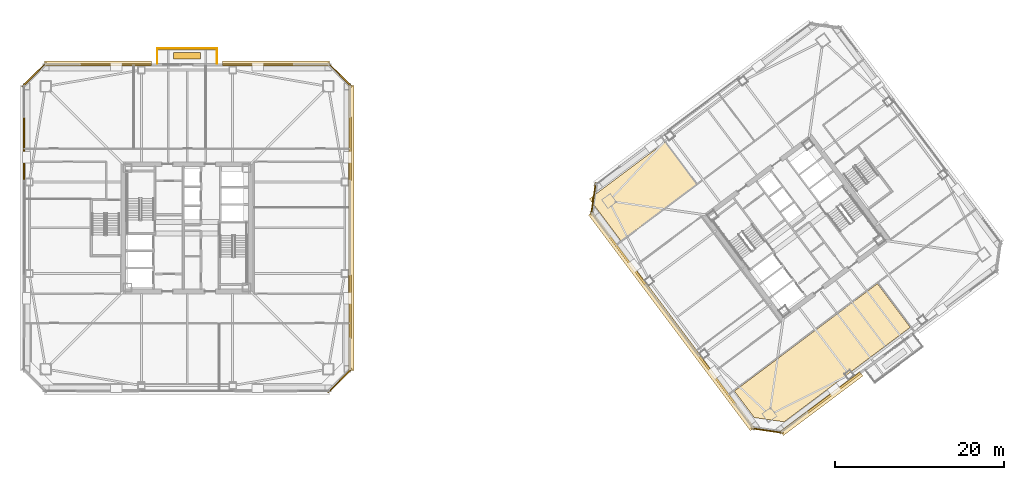
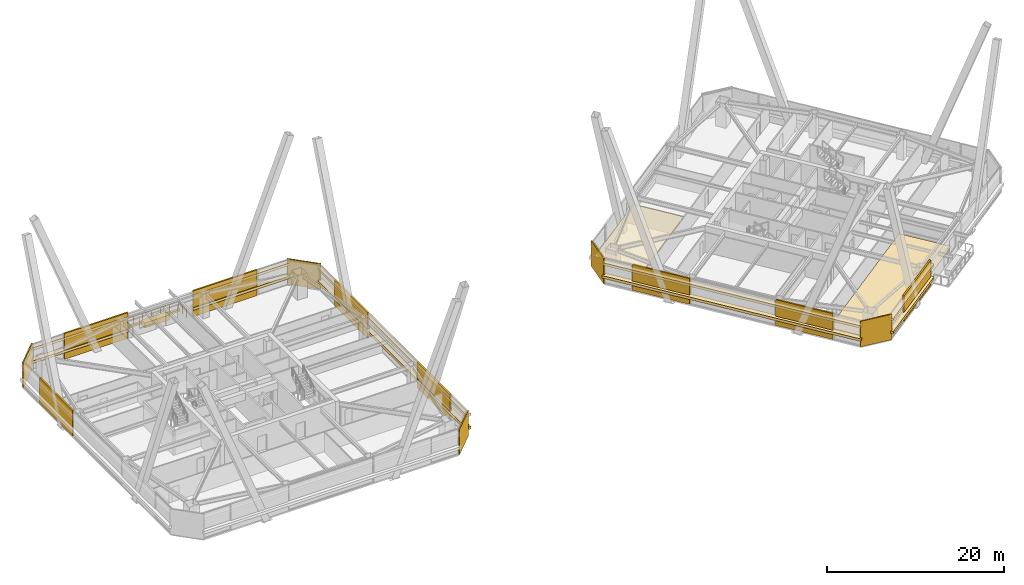
# One storey, part 51 of 54: 27 coverings, 3 railings.
"""IFC4 building model written with IfcOpenShell, lengths in metres."""

import ifcopenshell
import ifcopenshell.guid

model = None  # the IFC model being written
_history = None  # IfcOwnerHistory: only IFC2X3 demands one
_inside = {}  # id of a spatial element -> (the spatial element, [elements in it])
_under = {}  # id of a project, library or spatial element -> (it, [spatial elements below it])
_declared = {}  # id of a project -> (the project, [libraries it declares])
_typed = {}  # id of a type object -> (the type object, [elements of that type])
_made_of = {}  # id of a material, layer set ... -> (it, [elements and type objects made of it])


def new_model(schema):
    """Start an empty IFC model of exactly this schema.

    Asked for "IFC4X3", IfcOpenShell would pick the latest addendum, in which some entities
    have other attributes; the version numbers below select the first issue.
    IFC2X3 requires an IfcOwnerHistory on every rooted entity: one is made here for all.
    """
    global model, _history
    if schema == "IFC4X3":
        model = ifcopenshell.file(schema_version=(4, 3, 0, 0))
    else:
        model = ifcopenshell.file(schema=schema)
    _inside.clear()
    _under.clear()
    _declared.clear()
    _typed.clear()
    _made_of.clear()
    _history = None
    if model.schema == "IFC2X3":
        org = make("IfcOrganization", Name="unknown")
        user = make(
            "IfcPersonAndOrganization",
            ThePerson=make("IfcPerson", FamilyName="unknown"),
            TheOrganization=org,
        )
        app = make(
            "IfcApplication",
            ApplicationDeveloper=org,
            Version="unknown",
            ApplicationFullName="unknown",
            ApplicationIdentifier="unknown",
        )
        _history = make(
            "IfcOwnerHistory",
            OwningUser=user,
            OwningApplication=app,
            ChangeAction="ADDED",
            CreationDate=0,
        )
    return model


def make(cls, **values):
    """One entity of the class cls with the attributes given. An attribute that is None is left unset."""
    return model.create_entity(
        cls, **{name: value for name, value in values.items() if value is not None}
    )


def rooted(cls, **values):
    """An entity with a GlobalId (a new one), such as an element, a storey or a relation."""
    return make(cls, GlobalId=ifcopenshell.guid.new(), OwnerHistory=_history, **values)


def si_unit(unit_type, name, prefix=None):
    """IfcSIUnit, for example si_unit("LENGTHUNIT", "METRE", prefix="MILLI")."""
    return make("IfcSIUnit", UnitType=unit_type, Prefix=prefix, Name=name)


def assignment(units):
    """IfcUnitAssignment: the units of a project."""
    return None if units is None else make("IfcUnitAssignment", Units=units)


def point(xyz):
    """IfcCartesianPoint."""
    return None if xyz is None else make("IfcCartesianPoint", Coordinates=xyz)


def direction(xyz):
    """IfcDirection."""
    return None if xyz is None else make("IfcDirection", DirectionRatios=xyz)


def frame(location, z_axis=None, x_axis=None):
    """IfcAxis2Placement3D, a coordinate frame: its origin and axes. An axis left out is left unset."""
    return make(
        "IfcAxis2Placement3D",
        Location=point(location),
        Axis=direction(z_axis),
        RefDirection=direction(x_axis),
    )


def frame_2d(location, x_axis=None):
    """IfcAxis2Placement2D, a coordinate frame in the plane: its origin and x axis."""
    return make(
        "IfcAxis2Placement2D", Location=point(location), RefDirection=direction(x_axis)
    )


def origin():
    """The frame at (0, 0, 0) with its axes left unset."""
    return frame((0.0, 0.0, 0.0))


def origin_2d():
    """The frame at (0, 0) in the plane with its x axis left unset."""
    return frame_2d((0.0, 0.0))


def place(relative_to, where):
    """IfcLocalPlacement: puts the frame where relative to a parent placement (None: the world)."""
    return make(
        "IfcLocalPlacement", PlacementRelTo=relative_to, RelativePlacement=where
    )


def context(
    kind, dimensions, precision=None, world=None, true_north=None, identifier=None
):
    """IfcGeometricRepresentationContext, for example the 3D "Model" context."""
    return make(
        "IfcGeometricRepresentationContext",
        ContextIdentifier=identifier,
        ContextType=kind,
        CoordinateSpaceDimension=dimensions,
        Precision=precision,
        WorldCoordinateSystem=world,
        TrueNorth=true_north,
    )


def subcontext(parent, identifier, kind, view, scale=None):
    """IfcGeometricRepresentationSubContext, for example "Body" below "Model"."""
    return make(
        "IfcGeometricRepresentationSubContext",
        ContextIdentifier=identifier,
        ContextType=kind,
        ParentContext=parent,
        TargetScale=scale,
        TargetView=view,
    )


def project(units=None, contexts=None):
    """IfcProject with its units and contexts."""
    return rooted(
        "IfcProject",
        Name="project",
        RepresentationContexts=contexts,
        UnitsInContext=assignment(units),
    )


def spatial(cls, under=None, at=None, **own):
    """A site, building, storey or space (cls), placed at a placement, below another one or the project."""
    s = rooted(cls, ObjectPlacement=at, **own)
    if under is not None:
        _under.setdefault(under.id(), (under, []))[1].append(s)
    return s


def polyline(points):
    """IfcPolyline through the points."""
    return make("IfcPolyline", Points=[point(p) for p in points])


def profile(cls, at=None, kind="AREA", **sizes):
    """A parametric profile (cls). Its sizes go by their IFC names, for example OverallWidth=200.0."""
    return make(cls, ProfileType=kind, Position=at, **sizes)


def rectangle(**sizes):
    """IfcRectangleProfileDef."""
    return profile("IfcRectangleProfileDef", **sizes)


def outline(outer, holes=None, kind="AREA"):
    """IfcArbitraryClosedProfileDef: a profile drawn as a closed curve; with holes, ...WithVoids."""
    if holes is None:
        return make("IfcArbitraryClosedProfileDef", ProfileType=kind, OuterCurve=outer)
    return make(
        "IfcArbitraryProfileDefWithVoids",
        ProfileType=kind,
        OuterCurve=outer,
        InnerCurves=holes,
    )


def extrude(swept, where, along, depth):
    """IfcExtrudedAreaSolid: the profile swept, set in the frame where, extruded along a direction by depth."""
    return make(
        "IfcExtrudedAreaSolid",
        SweptArea=swept,
        Position=where,
        ExtrudedDirection=direction(along),
        Depth=depth,
    )


def shape(context_of_items, identifier, shape_type, items):
    """IfcShapeRepresentation: the items that make up one representation, for example the "Body"."""
    return make(
        "IfcShapeRepresentation",
        ContextOfItems=context_of_items,
        RepresentationIdentifier=identifier,
        RepresentationType=shape_type,
        Items=items,
    )


def material(Name=None, Category=None):
    """IfcMaterial."""
    return make("IfcMaterial", Name=Name, Category=Category)


def layer(
    of_material, thickness, ventilated=None, Name=None, Category=None, Priority=None
):
    """IfcMaterialLayer: one layer of a wall or slab, of a material (None: an air gap)."""
    return make(
        "IfcMaterialLayer",
        Material=of_material,
        LayerThickness=thickness,
        IsVentilated=ventilated,
        Name=Name,
        Category=Category,
        Priority=Priority,
    )


def layer_set(layers, Name=None):
    """IfcMaterialLayerSet."""
    return make("IfcMaterialLayerSet", MaterialLayers=layers, LayerSetName=Name)


def made_of(thing, what):
    """Note that an element or type object is made of a material, layer set ...; save() writes the relation."""
    if what is not None:
        _made_of.setdefault(what.id(), (what, []))[1].append(thing)
    return thing


def type_object(cls, material=None, **own):
    """A type object (cls), such as IfcWallType, which elements share."""
    return made_of(rooted(cls, **own), material)


def element(
    cls,
    number,
    at=None,
    inside=None,
    cuts=None,
    type_object=None,
    material=None,
    context=None,
    identifier="Body",
    shape_type=None,
    held_by="IfcProductDefinitionShape",
    body=None,
    shapes=None,
    **own,
):
    """One element of the class cls, such as IfcWall. Its Tag is "e" and its number.

    at: its placement. inside: the storey or other place that contains it. cuts: it is an
    opening in that element (IfcRelVoidsElement). A single representation is given by context,
    identifier, shape_type and body (its items); several are given by shapes. held_by: the class
    of the entity that holds the representations. save() writes the other relations.
    """
    e = rooted(cls, Tag="e%d" % number, ObjectPlacement=at, **own)
    if body is not None:
        shapes = [shape(context, identifier, shape_type, body)]
    if shapes is not None:
        e.Representation = make(held_by, Representations=shapes)
    if inside is not None:
        _inside.setdefault(inside.id(), (inside, []))[1].append(e)
    if cuts is not None:
        rooted(
            "IfcRelVoidsElement", RelatingBuildingElement=cuts, RelatedOpeningElement=e
        )
    if type_object is not None:
        _typed.setdefault(type_object.id(), (type_object, []))[1].append(e)
    return made_of(e, material)


def aggregate(whole, parts):
    """IfcRelAggregates: a whole, such as a stair, and the parts it consists of."""
    return rooted("IfcRelAggregates", RelatingObject=whole, RelatedObjects=parts)


def save(model, path):
    """Write the relations noted so far, then the file.

    IfcRelAggregates (storeys below a building ...), IfcRelContainedInSpatialStructure (elements
    in a storey), IfcRelDefinesByType, IfcRelAssociatesMaterial and IfcRelDeclares: one each for
    every whole, place, type object, material and project.
    """
    for whole, parts in _under.values():
        aggregate(whole, parts)
    for where, things in _inside.values():
        rooted(
            "IfcRelContainedInSpatialStructure",
            RelatedElements=things,
            RelatingStructure=where,
        )
    for kind, things in _typed.values():
        rooted("IfcRelDefinesByType", RelatedObjects=things, RelatingType=kind)
    for what, things in _made_of.values():
        rooted("IfcRelAssociatesMaterial", RelatedObjects=things, RelatingMaterial=what)
    for by, libraries in _declared.values():
        rooted("IfcRelDeclares", RelatingContext=by, RelatedDefinitions=libraries)
    model.write(path)


model = new_model("IFC4")

# Units and contexts
model_context = context("Model", 3, precision=1e-05, world=origin(), true_north=direction((0.0, 1.0)))
body_context = subcontext(model_context, "Body", "Model", "MODEL_VIEW")
ifc_project = project(units=[si_unit("LENGTHUNIT", "METRE"), si_unit("AREAUNIT", "SQUARE_METRE"), si_unit("VOLUMEUNIT", "CUBIC_METRE"), si_unit("PLANEANGLEUNIT", "RADIAN"), si_unit("MASSUNIT", "GRAM", prefix="KILO")], contexts=[model_context])

# Site, building, storey
site_placement = place(None, origin())
site = spatial("IfcSite", under=ifc_project, at=site_placement, CompositionType="ELEMENT")
building_placement = place(site_placement, origin())
building = spatial("IfcBuilding", under=site, at=building_placement, Name="Tashvorn Skyway Center", CompositionType="ELEMENT")
storey_placement = place(building_placement, frame((0.0, 0.0, 135.699951171875)))
storey = spatial("IfcBuildingStorey", under=building, at=storey_placement, Name="L36", CompositionType="ELEMENT", Elevation=135.699951171875)

# Coverings
ifc_material_1 = material(Name="Precast concrete C40/50", Category="concrete")
ifc_layer_1 = layer(ifc_material_1, 0.199951171875)
ifc_layer_set_1 = layer_set([ifc_layer_1], Name="Precast concrete C40/50")
covering_type_1 = type_object("IfcCoveringType", Name="COV-BRACE-CLAD", PredefinedType="CLADDING", material=ifc_layer_set_1)
covering_1_placement = place(storey_placement, frame((22.719970703125, 41.322265625, 0.0), z_axis=(0.0, 0.0, 1.0), x_axis=(0.0, 1.0, 0.0)))
element("IfcCovering", 1, at=covering_1_placement, inside=storey, type_object=covering_type_1, Name="Tower 1 L36 West Unitised Curtain Wall Mega-Brace Cladding Band 2", PredefinedType="CLADDING", context=body_context, shape_type="SweptSolid", body=[
    extrude(rectangle(XDim=7.457763671875, YDim=0.199951171875, at=origin_2d()), origin(), (0.0, 0.0, 1.0), 3.550048828125),
])
for number, where, z_axis, x_axis, name in (
    (2, (33.5732421875, 51.280029296875, 0.0), (0.0, 0.0, 1.0), (1.0, 0.0, 0.0), "Tower 1 L36 North Curtain Wall L Mega-Brace Cladding Band 1"),
    (3, (50.4267578125, 51.280029296875, 0.0), (0.0, 0.0, 1.0), (1.0, 0.0, 0.0), "Tower 1 L36 North Curtain Wall R Mega-Brace Cladding Band 1"),
):
    element("IfcCovering", number, at=place(storey_placement, frame(where, z_axis=z_axis, x_axis=x_axis)), inside=storey, type_object=covering_type_1, Name=name, PredefinedType="CLADDING", context=body_context, shape_type="SweptSolid", body=[
        extrude(rectangle(XDim=8.353271484375, YDim=0.199951171875, at=origin_2d()), origin(), (0.0, 0.0, 1.0), 3.550048828125),
    ])
for number, where, z_axis, x_axis, name in (
    (4, (61.280029296875, 41.322265625, 0.0), (0.0, 0.0, 1.0), (0.0, -1.0, 0.0), "Tower 1 L36 East Unitised Curtain Wall Mega-Brace Cladding Band 1"),
    (5, (61.280029296875, 22.677734375, 0.0), (0.0, 0.0, 1.0), (0.0, -1.0, 0.0), "Tower 1 L36 East Unitised Curtain Wall Mega-Brace Cladding Band 2"),
):
    element("IfcCovering", number, at=place(storey_placement, frame(where, z_axis=z_axis, x_axis=x_axis)), inside=storey, type_object=covering_type_1, Name=name, PredefinedType="CLADDING", context=body_context, shape_type="SweptSolid", body=[
        extrude(rectangle(XDim=7.457763671875, YDim=0.199951171875, at=origin_2d()), origin(), (0.0, 0.0, 1.0), 3.550048828125),
    ])
covering_2_placement = place(storey_placement, frame((118.466552734375, 12.5, 0.0), z_axis=(0.0, 0.0, 1.0), x_axis=(-0.799999996291, -0.600000004945, 0.0)))
element("IfcCovering", 6, at=covering_2_placement, inside=storey, type_object=covering_type_1, Name="Tower 2 L36 South Curtain Wall R Mega-Brace Cladding Band 1", PredefinedType="CLADDING", context=body_context, shape_type="SweptSolid", body=[
    extrude(rectangle(XDim=7.75341796875, YDim=0.199951171875, at=origin_2d()), origin(), (0.0, 0.0, 1.0), 3.550048828125),
])
for number, where, z_axis, x_axis, name in (
    (7, (104.66943359375, 13.97412109375, 0.0), (0.0, 0.0, 1.0), (-0.600000004945, 0.799999996291, 0.0), "Tower 2 L36 West Unitised Curtain Wall Mega-Brace Cladding Band 1"),
    (8, (94.082763671875, 28.08984375, 0.0), (0.0, 0.0, 1.0), (-0.600000004945, 0.799999996291, 0.0), "Tower 2 L36 West Unitised Curtain Wall Mega-Brace Cladding Band 2"),
):
    element("IfcCovering", number, at=place(storey_placement, frame(where, z_axis=z_axis, x_axis=x_axis)), inside=storey, type_object=covering_type_1, Name=name, PredefinedType="CLADDING", context=body_context, shape_type="SweptSolid", body=[
        extrude(rectangle(XDim=7.057861328125, YDim=0.199951171875, at=origin_2d()), origin(), (0.0, 0.0, 1.0), 3.550048828125),
    ])
ifc_material_2 = material(Name="Mineral-fibre acoustic ceiling tile on suspended grid")
ifc_layer_2 = layer(ifc_material_2, 0.02001953125)
ifc_layer_set_2 = layer_set([ifc_layer_2], Name="Mineral-fibre acoustic ceiling tile on suspended grid")
covering_type_2 = type_object("IfcCoveringType", Name="COV-CEIL-20", PredefinedType="CEILING", material=ifc_layer_set_2)
covering_3_placement = place(storey_placement, frame((0.0, 0.0, 2.703125)))
element("IfcCovering", 9, at=covering_3_placement, inside=storey, type_object=covering_type_2, Name="Tower 2 L36 Executive Study Lounge Acoustic Ceiling", PredefinedType="CEILING", context=body_context, shape_type="SweptSolid", body=[
    extrude(outline(polyline([(93.31005859375, 30.419921875), (102.27001953125, 37.139892578125), (98.52001953125, 42.139892578125), (89.56005859375, 35.419921875), (93.31005859375, 30.419921875)])), origin(), (0.0, 0.0, 1.0), 0.02001953125),
])
ifc_material_3 = material(Name="Polished Mojave desert-aggregate terrazzo and cover plate")
ifc_layer_3 = layer(ifc_material_3, 0.0400390625)
ifc_layer_set_3 = layer_set([ifc_layer_3], Name="Polished Mojave desert-aggregate terrazzo and cover plate")
covering_type_3 = type_object("IfcCoveringType", Name="COV-FLR-40", PredefinedType="FLOORING", material=ifc_layer_set_3)
covering_4_placement = place(storey_placement, origin())
element("IfcCovering", 10, at=covering_4_placement, inside=storey, type_object=covering_type_3, Name="Tower 2 L36 Executive Study Lounge Finish Flooring", PredefinedType="FLOORING", context=body_context, shape_type="SweptSolid", body=[
    extrude(outline(polyline([(112.580078125, 9.06005859375), (109.052001953125, 9.56396484375), (106.694091796875, 12.7080078125), (123.60595703125, 25.39208984375), (127.47607421875, 20.23193359375), (112.580078125, 9.06005859375)])), origin(), (0.0, 0.0, 1.0), 0.0400390625),
])
ifc_material_4 = material(Name="Perforated ceramic-coated bronze aluminium solar screen", Category="aluminium")
ifc_layer_4 = layer(ifc_material_4, 0.85009765625)
ifc_layer_set_4 = layer_set([ifc_layer_4], Name="Perforated ceramic-coated bronze aluminium solar screen")
covering_type_4 = type_object("IfcCoveringType", Name="COV-SOLAR-BAND", PredefinedType="CLADDING", material=ifc_layer_set_4)
for number, where, z_axis, x_axis, name in (
    (11, (31.485107421875, 51.419921875, 0.919921875), (0.0, 0.0, 1.0), (1.0, 0.0, 0.0), "L36 Perforated Ceramic-Metal Solar Screen Louvre Band North 1"),
    (12, (31.485107421875, 51.419921875, 2.72021484375), (0.0, 0.0, 1.0), (1.0, 0.0, 0.0), "L36 Perforated Ceramic-Metal Solar Screen Louvre Band North 2"),
    (13, (52.514892578125, 51.419921875, 0.919921875), (0.0, 0.0, 1.0), (1.0, 0.0, 0.0), "L36 Perforated Ceramic-Metal Solar Screen Louvre Band North 1"),
    (14, (52.514892578125, 51.419921875, 2.72021484375), (0.0, 0.0, 1.0), (1.0, 0.0, 0.0), "L36 Perforated Ceramic-Metal Solar Screen Louvre Band North 2"),
):
    element("IfcCovering", number, at=place(storey_placement, frame(where, z_axis=z_axis, x_axis=x_axis)), inside=storey, type_object=covering_type_4, Name=name, PredefinedType="CLADDING", context=body_context, shape_type="SweptSolid", body=[
        extrude(rectangle(XDim=12.64990234375, YDim=0.639892578125, at=origin_2d()), origin(), (0.0, 0.0, 1.0), 0.360107421875),
    ])
for number, where, z_axis, x_axis, name in (
    (15, (61.419921875, 32.0, 0.919921875), (0.0, 0.0, 1.0), (0.0, -1.0, 0.0), "L36 Perforated Ceramic-Metal Solar Screen Louvre Band East 1"),
    (16, (61.419921875, 32.0, 2.72021484375), (0.0, 0.0, 1.0), (0.0, -1.0, 0.0), "L36 Perforated Ceramic-Metal Solar Screen Louvre Band East 2"),
):
    element("IfcCovering", number, at=place(storey_placement, frame(where, z_axis=z_axis, x_axis=x_axis)), inside=storey, type_object=covering_type_4, Name=name, PredefinedType="CLADDING", context=body_context, shape_type="SweptSolid", body=[
        extrude(rectangle(XDim=33.679931640625, YDim=0.639892578125, at=origin_2d()), origin(), (0.0, 0.0, 1.0), 0.360107421875),
    ])
for number, where, z_axis, x_axis, name in (
    (17, (117.0, 11.22509765625, 0.919921875), (0.0, 0.0, 1.0), (-0.799999996291, -0.600000004945, 0.0), "L36 Perforated Ceramic-Metal Solar Screen Louvre Band South 1"),
    (18, (117.0, 11.22509765625, 2.72021484375), (0.0, 0.0, 1.0), (-0.799999996291, -0.600000004945, 0.0), "L36 Perforated Ceramic-Metal Solar Screen Louvre Band South 2"),
):
    element("IfcCovering", number, at=place(storey_placement, frame(where, z_axis=z_axis, x_axis=x_axis)), inside=storey, type_object=covering_type_4, Name=name, PredefinedType="CLADDING", context=body_context, shape_type="SweptSolid", body=[
        extrude(rectangle(XDim=11.75, YDim=0.639892578125, at=origin_2d()), origin(), (0.0, 0.0, 1.0), 0.360107421875),
    ])
for number, where, z_axis, x_axis, name in (
    (19, (99.263916015625, 20.947998046875, 0.919921875), (0.0, 0.0, 1.0), (-0.600000004945, 0.799999996291, 0.0), "L36 Perforated Ceramic-Metal Solar Screen Louvre Band West 1"),
    (20, (99.263916015625, 20.947998046875, 2.72021484375), (0.0, 0.0, 1.0), (-0.600000004945, 0.799999996291, 0.0), "L36 Perforated Ceramic-Metal Solar Screen Louvre Band West 2"),
):
    element("IfcCovering", number, at=place(storey_placement, frame(where, z_axis=z_axis, x_axis=x_axis)), inside=storey, type_object=covering_type_4, Name=name, PredefinedType="CLADDING", context=body_context, shape_type="SweptSolid", body=[
        extrude(rectangle(XDim=31.8798828125, YDim=0.639892578125, at=origin_2d()), origin(), (0.0, 0.0, 1.0), 0.360107421875),
    ])
ifc_layer_5 = layer(ifc_material_1, 0.35009765625)
ifc_layer_set_5 = layer_set([ifc_layer_5], Name="Precast concrete C40/50")
covering_type_5 = type_object("IfcCoveringType", Name="COV-STONE-TRIM", PredefinedType="CLADDING", material=ifc_layer_set_5)
covering_5_placement = place(storey_placement, frame((42.0, 53.159912109375, -0.16015625), z_axis=(0.0, 0.0, 1.0), x_axis=(1.0, 0.0, 0.0)))
element("IfcCovering", 21, at=covering_5_placement, inside=storey, type_object=covering_type_5, Name="Tower 1 L36 Spiral Terrace Terracotta Fascia", PredefinedType="CLADDING", context=body_context, shape_type="SweptSolid", body=[
    extrude(rectangle(XDim=7.199951171875, YDim=0.280029296875, at=origin_2d()), origin(), (0.0, 0.0, 1.0), 0.280029296875),
])
covering_6_placement = place(storey_placement, frame((42.0, 52.35009765625, 0.0), z_axis=(0.0, 0.0, 1.0), x_axis=(1.0, 0.0, 0.0)))
element("IfcCovering", 22, at=covering_6_placement, inside=storey, type_object=covering_type_5, Name="Tower 1 L36 Spiral Terrace Planter", PredefinedType="CLADDING", context=body_context, shape_type="SweptSolid", body=[
    extrude(rectangle(XDim=3.199951171875, YDim=0.75, at=origin_2d()), origin(), (0.0, 0.0, 1.0), 0.679931640625),
])
for number, where, z_axis, x_axis, name in (
    (23, (23.929931640625, 50.070068359375, 0.02001953125), (0.0, 0.0, 1.0), (-0.707106781187, -0.707106781187, 0.0), "Tower 1 L36 NW Mojave Limestone Corner Quoin"),
    (24, (60.070068359375, 50.070068359375, 0.02001953125), (0.0, 0.0, 1.0), (0.707106781187, -0.707106781187, 0.0), "Tower 1 L36 NE Mojave Limestone Corner Quoin"),
    (25, (60.070068359375, 13.929931640625, 0.02001953125), (0.0, 0.0, 1.0), (0.707106781187, 0.707106781187, 0.0), "Tower 1 L36 SE Mojave Limestone Corner Quoin"),
):
    element("IfcCovering", number, at=place(storey_placement, frame(where, z_axis=z_axis, x_axis=x_axis)), inside=storey, type_object=covering_type_5, Name=name, PredefinedType="CLADDING", context=body_context, shape_type="SweptSolid", body=[
        extrude(rectangle(XDim=3.978515625, YDim=0.139892578125, at=origin_2d()), origin(), (0.0, 0.0, 1.0), 3.510009765625),
    ])
for number, where, z_axis, x_axis, name in (
    (26, (110.575927734375, 8.031982421875, 0.02001953125), (0.0, 0.0, 1.0), (-0.989949494535, 0.141421350118, 0.0), "Tower 2 L36 SW Mojave Limestone Corner Quoin"),
    (27, (90.031982421875, 35.424072265625, 0.02001953125), (0.0, 0.0, 1.0), (-0.141421350118, -0.989949494535, 0.0), "Tower 2 L36 NW Mojave Limestone Corner Quoin"),
):
    element("IfcCovering", number, at=place(storey_placement, frame(where, z_axis=z_axis, x_axis=x_axis)), inside=storey, type_object=covering_type_5, Name=name, PredefinedType="CLADDING", context=body_context, shape_type="SweptSolid", body=[
        extrude(rectangle(XDim=3.8369140625, YDim=0.139892578125, at=origin_2d()), origin(), (0.0, 0.0, 1.0), 3.510009765625),
    ])

# Railings
ifc_material_5 = material(Name="Galvanized steel S355", Category="steel")
railing_type = type_object("IfcRailingType", Name="RAIL-GUARD-1120", PredefinedType="GUARDRAIL", material=ifc_material_5)
railing_1_placement = place(storey_placement, frame((38.47998046875, 51.39990234375, 0.0)))
element("IfcRailing", 28, at=railing_1_placement, inside=storey, type_object=railing_type, Name="L36 Tower 1 Terrace Guardrail 01", PredefinedType="GUARDRAIL", context=body_context, shape_type="SweptSolid", body=[
    extrude(rectangle(XDim=0.048095703125, YDim=0.048095703125, at=origin_2d()), frame((0.0, 0.0, 1.09619140625), z_axis=(0.0, 1.0, 0.0), x_axis=(-1.0, 0.0, 0.0)), (0.0, 0.0, 1.0), 1.820068359375),
    extrude(rectangle(XDim=0.0419921875, YDim=0.0419921875, at=origin_2d()), origin(), (0.0, 0.0, 1.0), 1.072021484375),
    extrude(rectangle(XDim=0.0419921875, YDim=0.0419921875, at=origin_2d()), frame((0.0, 0.91015625, 0.0)), (0.0, 0.0, 1.0), 1.072021484375),
    extrude(rectangle(XDim=0.0419921875, YDim=0.0419921875, at=origin_2d()), frame((0.0, 1.820068359375, 0.0)), (0.0, 0.0, 1.0), 1.072021484375),
])
railing_2_placement = place(storey_placement, frame((38.47998046875, 53.219970703125, 0.0)))
element("IfcRailing", 29, at=railing_2_placement, inside=storey, type_object=railing_type, Name="L36 Tower 1 Terrace Guardrail 02", PredefinedType="GUARDRAIL", context=body_context, shape_type="SweptSolid", body=[
    extrude(rectangle(XDim=0.048095703125, YDim=0.048095703125, at=origin_2d()), frame((0.0, 0.0, 1.09619140625), z_axis=(1.0, 0.0, 0.0), x_axis=(0.0, 1.0, 0.0)), (0.0, 0.0, 1.0), 7.0400390625),
    extrude(rectangle(XDim=0.0419921875, YDim=0.0419921875, at=origin_2d()), origin(), (0.0, 0.0, 1.0), 1.072021484375),
    extrude(rectangle(XDim=0.0419921875, YDim=0.0419921875, at=origin_2d()), frame((1.17333984375, 0.0, 0.0)), (0.0, 0.0, 1.0), 1.072021484375),
    extrude(rectangle(XDim=0.0419921875, YDim=0.0419921875, at=origin_2d()), frame((2.3466796875, 0.0, 0.0)), (0.0, 0.0, 1.0), 1.072021484375),
    extrude(rectangle(XDim=0.0419921875, YDim=0.0419921875, at=origin_2d()), frame((3.52001953125, 0.0, 0.0)), (0.0, 0.0, 1.0), 1.072021484375),
    extrude(rectangle(XDim=0.0419921875, YDim=0.0419921875, at=origin_2d()), frame((4.693359375, 0.0, 0.0)), (0.0, 0.0, 1.0), 1.072021484375),
    extrude(rectangle(XDim=0.0419921875, YDim=0.0419921875, at=origin_2d()), frame((5.86669921875, 0.0, 0.0)), (0.0, 0.0, 1.0), 1.072021484375),
    extrude(rectangle(XDim=0.0419921875, YDim=0.0419921875, at=origin_2d()), frame((7.0400390625, 0.0, 0.0)), (0.0, 0.0, 1.0), 1.072021484375),
])
railing_3_placement = place(storey_placement, frame((45.52001953125, 53.219970703125, 0.0)))
element("IfcRailing", 30, at=railing_3_placement, inside=storey, type_object=railing_type, Name="L36 Tower 1 Terrace Guardrail 03", PredefinedType="GUARDRAIL", context=body_context, shape_type="SweptSolid", body=[
    extrude(rectangle(XDim=0.048095703125, YDim=0.048095703125, at=origin_2d()), frame((0.0, 0.0, 1.09619140625), z_axis=(0.0, -1.0, 0.0), x_axis=(1.0, 0.0, 0.0)), (0.0, 0.0, 1.0), 1.820068359375),
    extrude(rectangle(XDim=0.0419921875, YDim=0.0419921875, at=origin_2d()), origin(), (0.0, 0.0, 1.0), 1.072021484375),
    extrude(rectangle(XDim=0.0419921875, YDim=0.0419921875, at=origin_2d()), frame((0.0, -0.91015625, 0.0)), (0.0, 0.0, 1.0), 1.072021484375),
    extrude(rectangle(XDim=0.0419921875, YDim=0.0419921875, at=origin_2d()), frame((0.0, -1.820068359375, 0.0)), (0.0, 0.0, 1.0), 1.072021484375),
])

save(model, "model.ifc")
